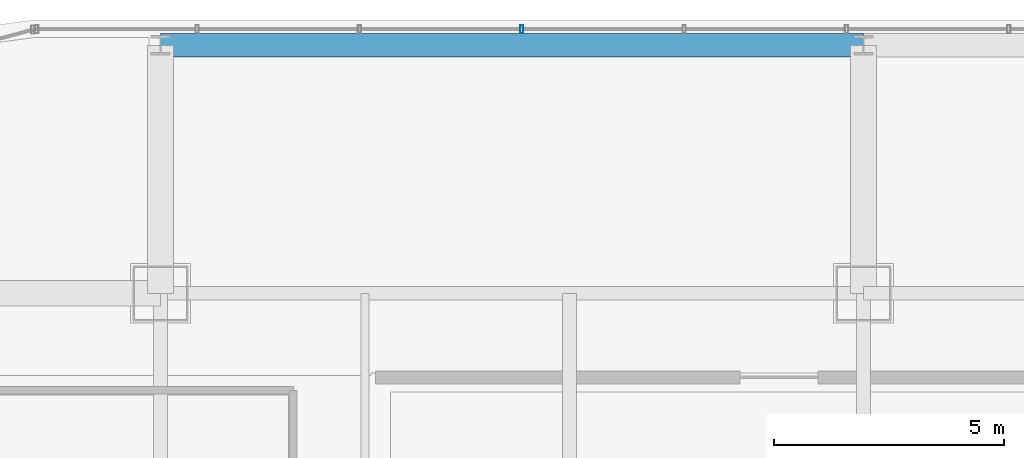
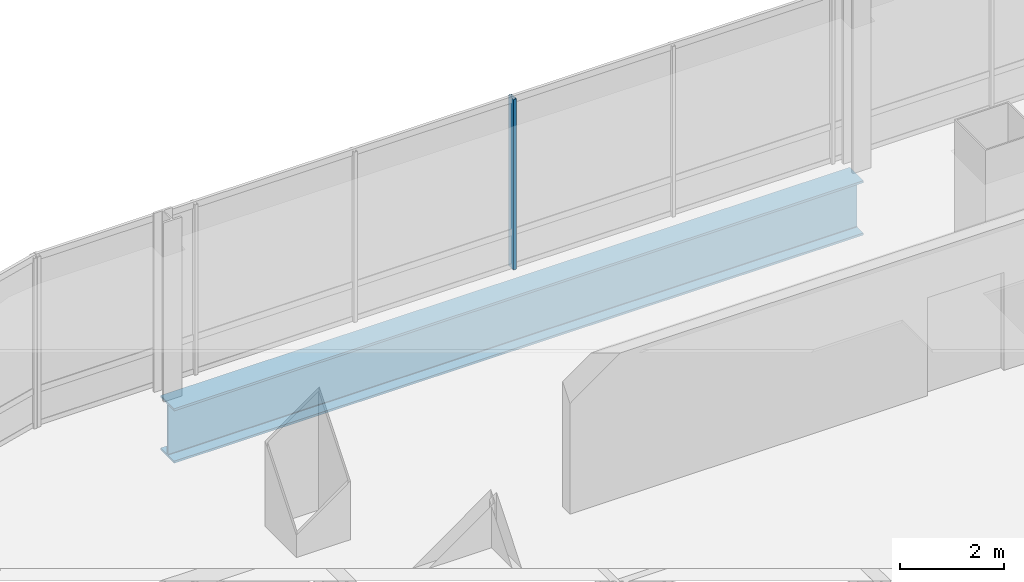
# One storey, part 24 of 42: 1 beam, 1 member, 1 element without a shape of its own.
"""IFC4 building model written with IfcOpenShell, lengths in metres."""

from ifc_helpers import new_model, si_unit, direction, frame, origin, origin_2d, place, context, subcontext, project, spatial, hollow_rectangle, i_section, extrude, material, material_profile, profile_set, type_object, element, aggregate, save


model = new_model("IFC4")

# Units and contexts
model_context = context("Model", 3, precision=1e-05, world=origin(), true_north=direction((0.0, 1.0)))
body_context = subcontext(model_context, "Body", "Model", "MODEL_VIEW")
ifc_project = project(units=[si_unit("LENGTHUNIT", "METRE"), si_unit("AREAUNIT", "SQUARE_METRE"), si_unit("VOLUMEUNIT", "CUBIC_METRE"), si_unit("PLANEANGLEUNIT", "RADIAN"), si_unit("MASSUNIT", "GRAM", prefix="KILO")], contexts=[model_context])

# Site, building, storey
site_placement = place(None, origin())
site = spatial("IfcSite", under=ifc_project, at=site_placement, CompositionType="ELEMENT")
building_placement = place(site_placement, origin())
building = spatial("IfcBuilding", under=site, at=building_placement, Name="Punatoya Terracotta Tower", CompositionType="ELEMENT")
storey_placement = place(building_placement, frame((0.0, 0.0, 304.800048828125)))
storey = spatial("IfcBuildingStorey", under=building, at=storey_placement, Name="L72", CompositionType="ELEMENT", Elevation=304.800048828125)

# Beam
ifc_material_1 = material(Name="Steel S460", Category="steel")
ifc_material_profile_1 = material_profile(ifc_material_1, i_section(OverallWidth=0.52001953125, OverallDepth=1.280029296875, WebThickness=0.031982421875, FlangeThickness=0.050048828125, FilletRadius=0.01806640625, at=origin_2d()))
ifc_profile_set_1 = profile_set([ifc_material_profile_1], Name="Steel S460")
beam_type = type_object("IfcBeamType", Name="BM-TG-NCK", PredefinedType="BEAM", material=ifc_profile_set_1)
beam_placement = place(storey_placement, frame((-19.10009765625, 22.89990234375, -0.840087890625), z_axis=(1.0, 0.0, 0.0), x_axis=(0.0, 1.0, 0.0)))
element("IfcBeam", 1, at=beam_placement, inside=storey, type_object=beam_type, Name="BM-L72-PER-N1", PredefinedType="BEAM", context=body_context, shape_type="SweptSolid", body=[
    extrude(i_section(OverallWidth=0.52001953125, OverallDepth=1.280029296875, WebThickness=0.031982421875, FlangeThickness=0.050048828125, FilletRadius=0.01806640625, at=origin_2d()), origin(), (0.0, 0.0, 1.0), 15.300048828125),
])

# Curtain wall, member
ifc_material_2 = material(Name="Aluminium 6063-T6 + Double Low-E Glass", Category="aluminium")
curtain_wall_type = type_object("IfcCurtainWallType", Name="CW-M3", PredefinedType="NOTDEFINED", material=ifc_material_2)
curtain_wall_placement = place(storey_placement, origin())
curtain_wall = element("IfcCurtainWall", 2, at=curtain_wall_placement, inside=storey, type_object=curtain_wall_type, Name="L72 Curtain Wall CW-L72-N09-1", PredefinedType="NOTDEFINED")
ifc_material_3 = material(Name="Aluminium 6063-T6", Category="aluminium")
ifc_material_profile_2 = material_profile(ifc_material_3, hollow_rectangle(XDim=0.070068359375, YDim=0.179931640625, WallThickness=0.00390625, at=origin_2d()))
ifc_profile_set_2 = profile_set([ifc_material_profile_2], Name="Aluminium 6063-T6")
member_type = type_object("IfcMemberType", Name="CW-MUL-M3", PredefinedType="MULLION", material=ifc_profile_set_2)
member_placement = place(storey_placement, frame((-11.235107421875, 23.25, 0.0), z_axis=(0.0, 0.0, 1.0), x_axis=(1.0, 0.0, 0.0)))
member = element("IfcMember", 3, at=member_placement, type_object=member_type, Name="CW-L72-N09-1 Mullion 08", PredefinedType="MULLION", context=body_context, shape_type="SweptSolid", body=[
    extrude(hollow_rectangle(XDim=0.070068359375, YDim=0.179931640625, WallThickness=0.00390625, at=origin_2d()), origin(), (0.0, 0.0, 1.0), 4.0),
])
aggregate(curtain_wall, [member])

save(model, "model.ifc")
